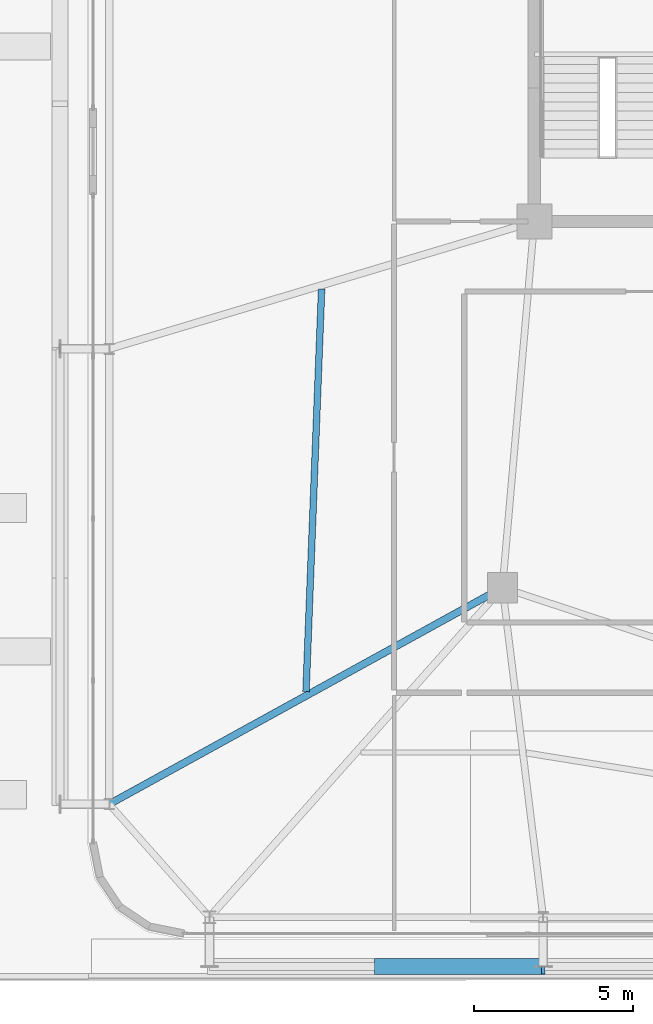
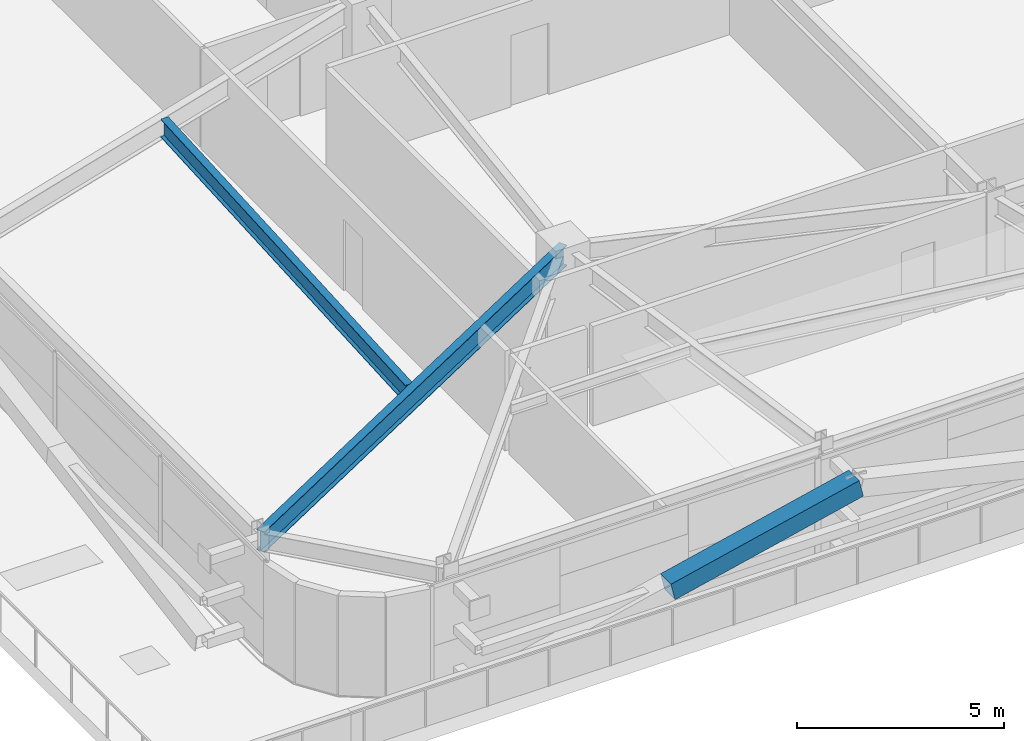
# One storey, part 10 of 56: 2 beams, 1 member.
"""IFC4 building model written with IfcOpenShell, lengths in metres."""

from ifc_helpers import new_model, si_unit, direction, frame, origin, origin_2d, place, context, subcontext, project, spatial, hollow_rectangle, i_section, extrude, source, transform, mapped, material, material_profile, profile_set, type_object, element, save


model = new_model("IFC4")

# Units and contexts
model_context = context("Model", 3, precision=1e-05, world=origin(), true_north=direction((0.0, 1.0)))
body_context = subcontext(model_context, "Body", "Model", "MODEL_VIEW")
ifc_project = project(units=[si_unit("LENGTHUNIT", "METRE"), si_unit("AREAUNIT", "SQUARE_METRE"), si_unit("VOLUMEUNIT", "CUBIC_METRE"), si_unit("PLANEANGLEUNIT", "RADIAN"), si_unit("MASSUNIT", "GRAM", prefix="KILO")], contexts=[model_context])

# Site, building, storey
site_placement = place(None, origin())
site = spatial("IfcSite", under=ifc_project, at=site_placement, CompositionType="ELEMENT")
building_placement = place(site_placement, origin())
building = spatial("IfcBuilding", under=site, at=building_placement, Name="Taldren Reach Tower", CompositionType="ELEMENT")
storey_placement = place(building_placement, frame((0.0, 0.0, 16.800048828125)))
storey = spatial("IfcBuildingStorey", under=building, at=storey_placement, Name="L04", CompositionType="ELEMENT", Elevation=16.800048828125)

# Beams
ifc_material_1 = material(Name="Steel Gr 350 (350PLUS)", Category="steel")
ifc_material_profile_1 = material_profile(ifc_material_1, i_section(OverallWidth=0.22802734375, OverallDepth=0.60205078125, WebThickness=0.010498046875, FlangeThickness=0.014892578125, at=origin_2d()), Name="610UB101")
ifc_profile_set_1 = profile_set([ifc_material_profile_1], Name="Steel Gr 350 (350PLUS)")
beam_type_1 = type_object("IfcBeamType", Name="BM-UB610B", PredefinedType="BEAM", material=ifc_profile_set_1)
shared_shape_1 = source(origin(), body_context, "Body", "SweptSolid", [
    extrude(i_section(OverallWidth=0.22802734375, OverallDepth=0.60205078125, WebThickness=0.010498046875, FlangeThickness=0.014892578125, at=origin_2d()), origin(), (0.0, 0.0, 1.0), 14.098388671875),
])
beam_1_placement = place(storey_placement, frame((18.0, 12.5, 2.62890625), z_axis=(-0.875991325783, -0.482326857175, 0.0), x_axis=(0.482326857175, -0.875991325783, 0.0)))
element("IfcBeam", 1, at=beam_1_placement, inside=storey, type_object=beam_type_1, Name="Primary floor girder B1-W1 L04", PredefinedType="BEAM", context=body_context, shape_type="MappedRepresentation", body=[
    mapped(shared_shape_1, transform((0.0, 0.0, 0.0), scale=1.0)),
])
ifc_material_profile_2 = material_profile(ifc_material_1, i_section(OverallWidth=0.208984375, OverallDepth=0.532958984375, WebThickness=0.01025390625, FlangeThickness=0.015625, at=origin_2d()), Name="530UB92.4")
ifc_profile_set_2 = profile_set([ifc_material_profile_2], Name="Steel Gr 350 (350PLUS)")
beam_type_2 = type_object("IfcBeamType", Name="BM-UB530A", PredefinedType="BEAM", material=ifc_profile_set_2)
shared_shape_2 = source(origin(), body_context, "Body", "SweptSolid", [
    extrude(i_section(OverallWidth=0.208984375, OverallDepth=0.532958984375, WebThickness=0.01025390625, FlangeThickness=0.015625, at=origin_2d()), origin(), (0.0, 0.0, 1.0), 12.65625),
])
beam_2_placement = place(storey_placement, frame((11.830078125, 9.23291015625, 2.663330078125), z_axis=(0.0387346395, 0.99924953225, 0.0), x_axis=(-0.99924953225, 0.0387346395, 0.0)))
element("IfcBeam", 2, at=beam_2_placement, inside=storey, type_object=beam_type_2, Name="Secondary floor beam B1 J6 L04", PredefinedType="BEAM", context=body_context, shape_type="MappedRepresentation", body=[
    mapped(shared_shape_2, transform((0.0, 0.0, 0.0), scale=1.0)),
])

# Member
ifc_material_2 = material(Name="Steel Gr 450 (C450L0)", Category="steel")
ifc_material_profile_3 = material_profile(ifc_material_2, hollow_rectangle(XDim=0.510009765625, YDim=0.510009765625, WallThickness=0.02001953125, at=origin_2d()), Name="510x510x20.0SHS")
ifc_profile_set_3 = profile_set([ifc_material_profile_3], Name="Steel Gr 450 (C450L0)")
member_type = type_object("IfcMemberType", Name="MB-EXO508", PredefinedType="BRACE", material=ifc_profile_set_3)
shared_shape_3 = source(origin(), body_context, "Body", "SweptSolid", [
    extrude(hollow_rectangle(XDim=0.510009765625, YDim=0.510009765625, WallThickness=0.02001953125, at=origin_2d()), origin(), (0.0, 0.0, 1.0), 5.37890625),
])
member_placement = place(storey_placement, frame((14.0400390625, 0.60009765625, 1.43505859375), z_axis=(0.974161966843, 0.0, 0.225850531007), x_axis=(0.0, 1.0, 0.0)))
element("IfcMember", 3, at=member_placement, inside=storey, type_object=member_type, Name="Exoskeleton Diagrid Brace B1-S1 L04", PredefinedType="BRACE", context=body_context, shape_type="MappedRepresentation", body=[
    mapped(shared_shape_3, transform((0.0, 0.0, 0.0), scale=1.0)),
])

save(model, "model.ifc")
